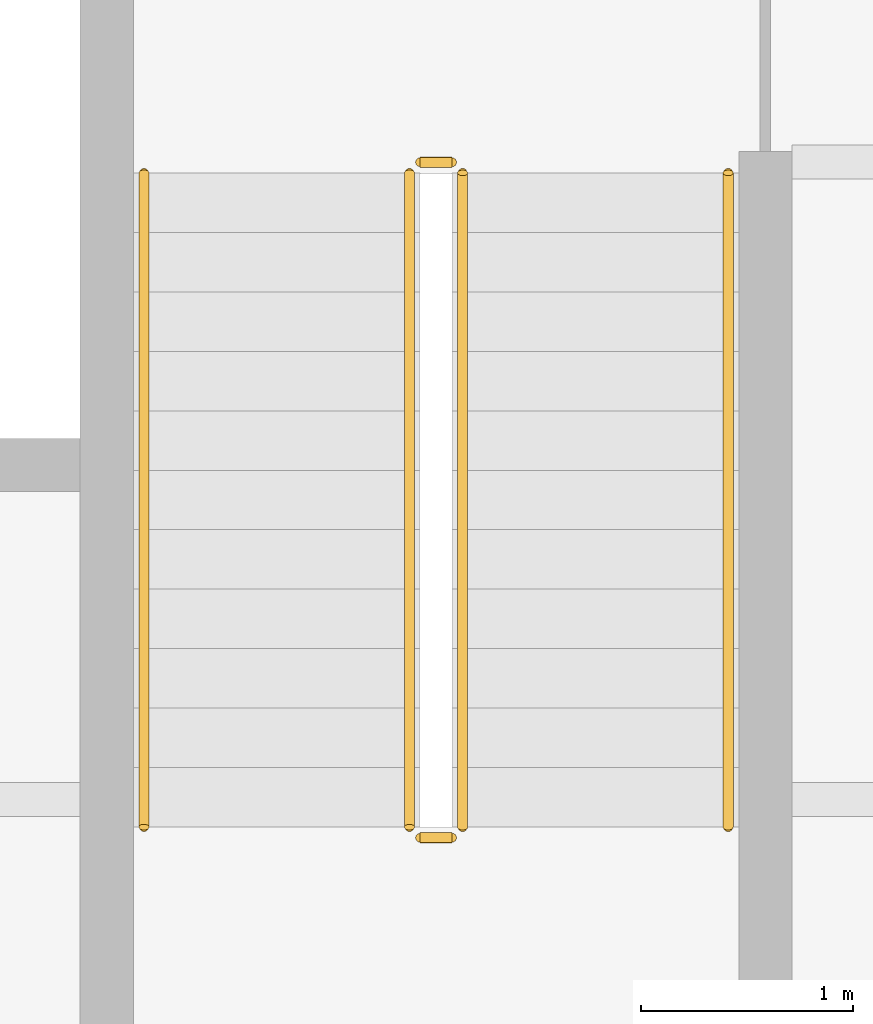
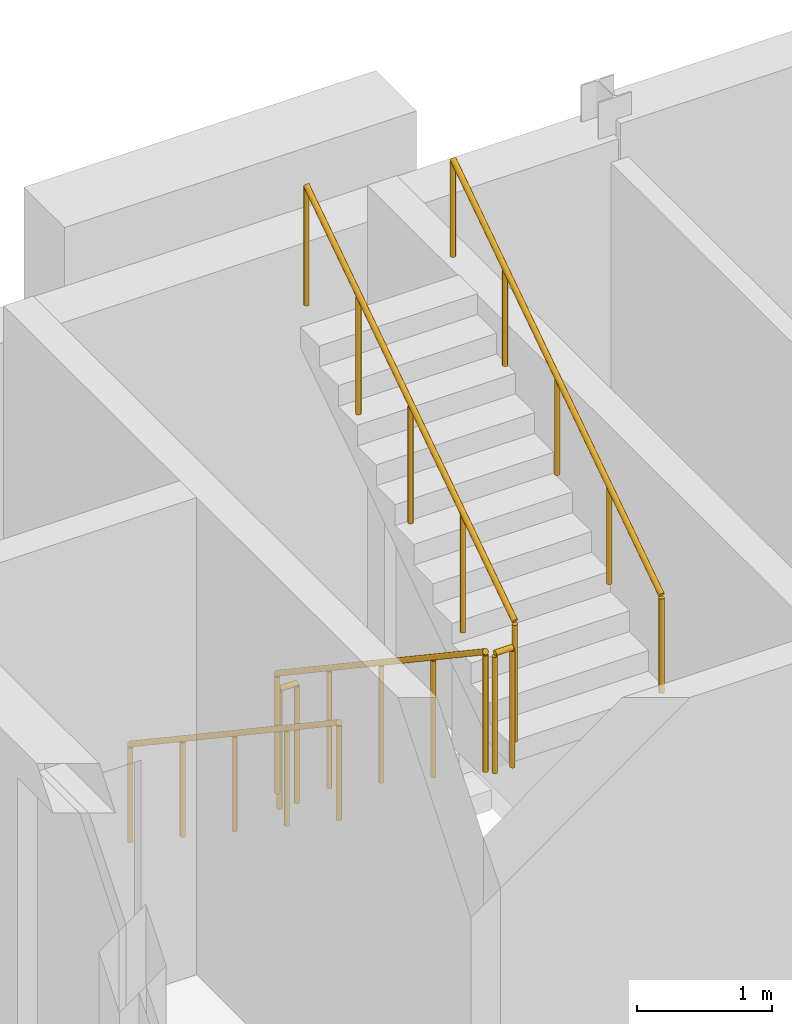
# One storey, part 113 of 134: 6 railings.
"""IFC4 building model written with IfcOpenShell, lengths in metres."""

from ifc_helpers import new_model, si_unit, direction, frame, origin, origin_2d, place, context, subcontext, project, spatial, circle, extrude, material, type_object, element, save


model = new_model("IFC4")

# Units and contexts
model_context = context("Model", 3, precision=1e-05, world=origin(), true_north=direction((0.0, 1.0)))
body_context = subcontext(model_context, "Body", "Model", "MODEL_VIEW")
ifc_project = project(units=[si_unit("LENGTHUNIT", "METRE"), si_unit("AREAUNIT", "SQUARE_METRE"), si_unit("VOLUMEUNIT", "CUBIC_METRE"), si_unit("PLANEANGLEUNIT", "RADIAN"), si_unit("MASSUNIT", "GRAM", prefix="KILO")], contexts=[model_context])

# Site, building, storey
site_placement = place(None, origin())
site = spatial("IfcSite", under=ifc_project, at=site_placement, CompositionType="ELEMENT")
building_placement = place(site_placement, origin())
building = spatial("IfcBuilding", under=site, at=building_placement, Name="Golden Quay Civic Hall", CompositionType="ELEMENT")
storey_placement = place(building_placement, frame((0.0, 0.0, 5.39990234375)))
storey = spatial("IfcBuildingStorey", under=building, at=storey_placement, Name="L01", CompositionType="ELEMENT", Elevation=5.39990234375)

# Railings
ifc_material_1 = material(Name="Steel S355", Category="steel")
railing_type_1 = type_object("IfcRailingType", Name="Steel guard 1100", PredefinedType="GUARDRAIL", material=ifc_material_1)
railing_1_placement = place(storey_placement, frame((57.800048828125, 52.449951171875, 0.1875)))
element("IfcRailing", 1, at=railing_1_placement, inside=storey, type_object=railing_type_1, Name="L01 WM-N stair guard 1", PredefinedType="GUARDRAIL", context=body_context, shape_type="SweptSolid", body=[
    extrude(circle(Radius=0.02392578125, at=origin_2d()), frame((0.0, 0.0, 1.076171875), z_axis=(0.0, -0.830893310487, 0.556431762742), x_axis=(1.0, 0.0, 0.0)), (0.0, 0.0, 1.0), 3.70654296875),
    extrude(circle(Radius=0.02099609375, at=origin_2d()), origin(), (0.0, 0.0, 1.0), 1.052001953125),
    extrude(circle(Radius=0.02099609375, at=origin_2d()), frame((0.0, -0.77001953125, 0.515625)), (0.0, 0.0, 1.0), 1.052001953125),
    extrude(circle(Radius=0.02099609375, at=origin_2d()), frame((0.0, -1.5400390625, 1.03125)), (0.0, 0.0, 1.0), 1.052001953125),
    extrude(circle(Radius=0.02099609375, at=origin_2d()), frame((0.0, -2.309814453125, 1.546875)), (0.0, 0.0, 1.0), 1.052001953125),
    extrude(circle(Radius=0.02099609375, at=origin_2d()), frame((0.0, -3.079833984375, 2.0625)), (0.0, 0.0, 1.0), 1.052001953125),
])
railing_2_placement = place(storey_placement, frame((57.85009765625, 49.320068359375, 2.25)))
element("IfcRailing", 2, at=railing_2_placement, inside=storey, type_object=railing_type_1, Name="L01 WM-N stair guard 2", PredefinedType="GUARDRAIL", context=body_context, shape_type="SweptSolid", body=[
    extrude(circle(Radius=0.02392578125, at=origin_2d()), frame((0.0, 0.0, 1.076171875), z_axis=(1.0, 0.0, 0.0), x_axis=(0.0, 1.0, 0.0)), (0.0, 0.0, 1.0), 0.14990234375),
    extrude(circle(Radius=0.02099609375, at=origin_2d()), origin(), (0.0, 0.0, 1.0), 1.052001953125),
    extrude(circle(Radius=0.02099609375, at=origin_2d()), frame((0.14990234375, 0.0, 0.0)), (0.0, 0.0, 1.0), 1.052001953125),
])
railing_3_placement = place(storey_placement, frame((58.050048828125, 49.3701171875, 2.4375)))
element("IfcRailing", 3, at=railing_3_placement, inside=storey, type_object=railing_type_1, Name="L01 WM-N stair guard 3", PredefinedType="GUARDRAIL", context=body_context, shape_type="SweptSolid", body=[
    extrude(circle(Radius=0.02392578125, at=origin_2d()), frame((0.0, 0.0, 1.076171875), z_axis=(0.0, 0.830893310487, 0.556431762742), x_axis=(-1.0, 0.0, 0.0)), (0.0, 0.0, 1.0), 3.70654296875),
    extrude(circle(Radius=0.02099609375, at=origin_2d()), origin(), (0.0, 0.0, 1.0), 1.052001953125),
    extrude(circle(Radius=0.02099609375, at=origin_2d()), frame((0.0, 0.77001953125, 0.515625)), (0.0, 0.0, 1.0), 1.052001953125),
    extrude(circle(Radius=0.02099609375, at=origin_2d()), frame((0.0, 1.5400390625, 1.03125)), (0.0, 0.0, 1.0), 1.052001953125),
    extrude(circle(Radius=0.02099609375, at=origin_2d()), frame((0.0, 2.309814453125, 1.546875)), (0.0, 0.0, 1.0), 1.052001953125),
    extrude(circle(Radius=0.02099609375, at=origin_2d()), frame((0.0, 3.079833984375, 2.0625)), (0.0, 0.0, 1.0), 1.052001953125),
])
railing_4_placement = place(storey_placement, frame((57.85009765625, 52.5, 0.0)))
element("IfcRailing", 4, at=railing_4_placement, inside=storey, type_object=railing_type_1, Name="L01 WM-N stair guard 4", PredefinedType="GUARDRAIL", context=body_context, shape_type="SweptSolid", body=[
    extrude(circle(Radius=0.02392578125, at=origin_2d()), frame((0.0, 0.0, 1.076171875), z_axis=(1.0, 0.0, 0.0), x_axis=(0.0, 1.0, 0.0)), (0.0, 0.0, 1.0), 0.14990234375),
    extrude(circle(Radius=0.02099609375, at=origin_2d()), origin(), (0.0, 0.0, 1.0), 1.052001953125),
    extrude(circle(Radius=0.02099609375, at=origin_2d()), frame((0.14990234375, 0.0, 0.0)), (0.0, 0.0, 1.0), 1.052001953125),
])
ifc_material_2 = material(Name="Steel S355", Category="steel")
railing_type_2 = type_object("IfcRailingType", Name="Steel handrail 900", PredefinedType="HANDRAIL", material=ifc_material_2)
railing_5_placement = place(storey_placement, frame((56.550048828125, 52.449951171875, 0.1875)))
element("IfcRailing", 5, at=railing_5_placement, inside=storey, type_object=railing_type_2, Name="L01 WM-N stair handrail 1", PredefinedType="HANDRAIL", context=body_context, shape_type="SweptSolid", body=[
    extrude(circle(Radius=0.02392578125, at=origin_2d()), frame((0.0, 0.0, 0.8759765625), z_axis=(0.0, -0.830893310487, 0.556431762742), x_axis=(1.0, 0.0, 0.0)), (0.0, 0.0, 1.0), 3.70654296875),
    extrude(circle(Radius=0.02099609375, at=origin_2d()), origin(), (0.0, 0.0, 1.0), 0.851806640625),
    extrude(circle(Radius=0.02099609375, at=origin_2d()), frame((0.0, -0.77001953125, 0.515625)), (0.0, 0.0, 1.0), 0.851806640625),
    extrude(circle(Radius=0.02099609375, at=origin_2d()), frame((0.0, -1.5400390625, 1.03125)), (0.0, 0.0, 1.0), 0.851806640625),
    extrude(circle(Radius=0.02099609375, at=origin_2d()), frame((0.0, -2.309814453125, 1.546875)), (0.0, 0.0, 1.0), 0.851806640625),
    extrude(circle(Radius=0.02099609375, at=origin_2d()), frame((0.0, -3.079833984375, 2.0625)), (0.0, 0.0, 1.0), 0.851806640625),
])
railing_6_placement = place(storey_placement, frame((59.300048828125, 49.3701171875, 2.4375)))
element("IfcRailing", 6, at=railing_6_placement, inside=storey, type_object=railing_type_2, Name="L01 WM-N stair handrail 2", PredefinedType="HANDRAIL", context=body_context, shape_type="SweptSolid", body=[
    extrude(circle(Radius=0.02392578125, at=origin_2d()), frame((0.0, 0.0, 0.8759765625), z_axis=(0.0, 0.830893310487, 0.556431762742), x_axis=(-1.0, 0.0, 0.0)), (0.0, 0.0, 1.0), 3.70654296875),
    extrude(circle(Radius=0.02099609375, at=origin_2d()), origin(), (0.0, 0.0, 1.0), 0.851806640625),
    extrude(circle(Radius=0.02099609375, at=origin_2d()), frame((0.0, 0.77001953125, 0.515625)), (0.0, 0.0, 1.0), 0.851806640625),
    extrude(circle(Radius=0.02099609375, at=origin_2d()), frame((0.0, 1.5400390625, 1.03125)), (0.0, 0.0, 1.0), 0.851806640625),
    extrude(circle(Radius=0.02099609375, at=origin_2d()), frame((0.0, 2.309814453125, 1.546875)), (0.0, 0.0, 1.0), 0.851806640625),
    extrude(circle(Radius=0.02099609375, at=origin_2d()), frame((0.0, 3.079833984375, 2.0625)), (0.0, 0.0, 1.0), 0.851806640625),
])

save(model, "model.ifc")
